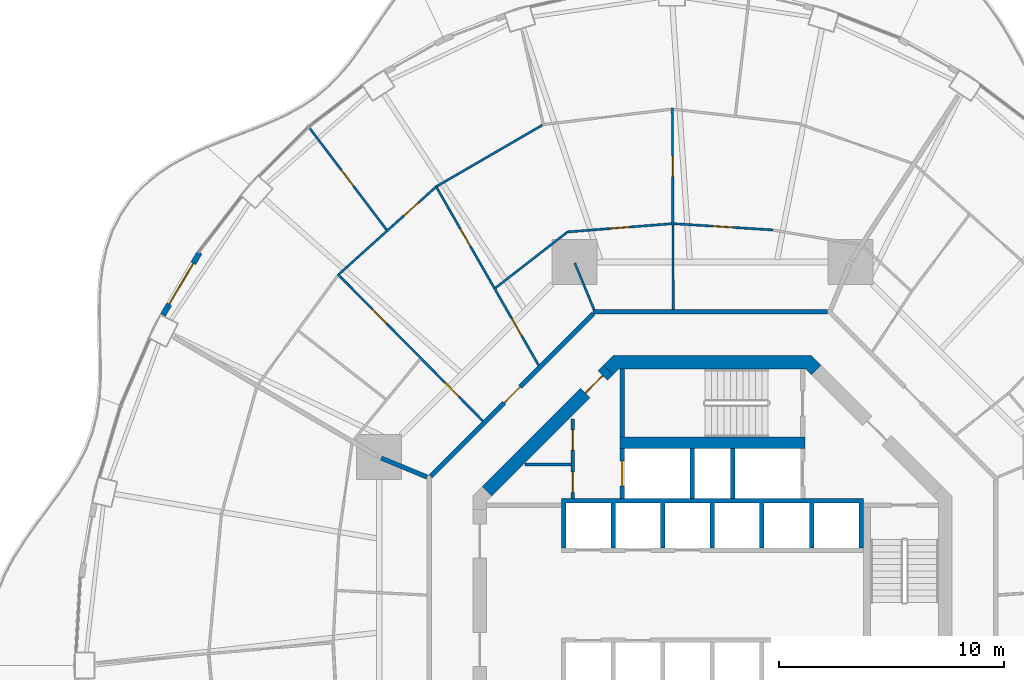
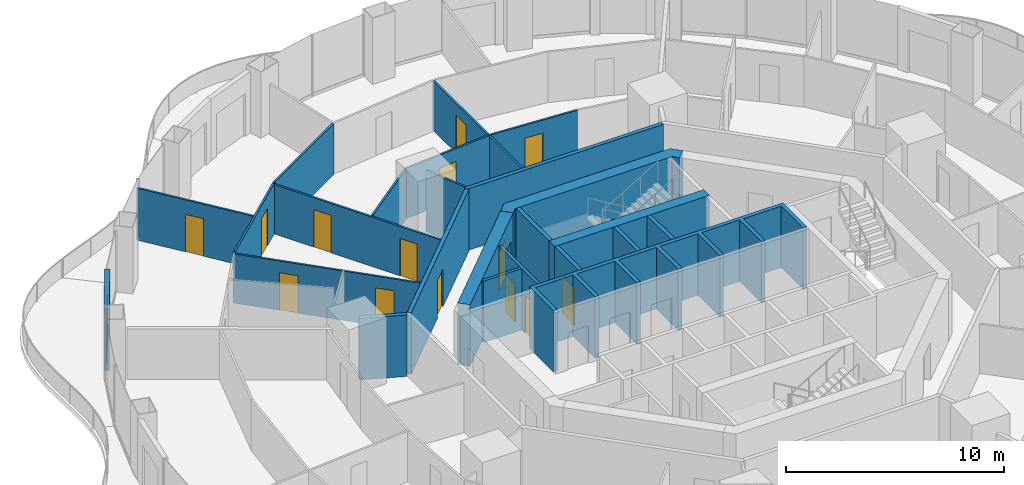
# One storey, part 14 of 19: 24 walls, 15 doors, 15 openings.
"""IFC4 building model written with IfcOpenShell, lengths in metres."""

from ifc_helpers import new_model, si_unit, direction, frame, frame_2d, origin, place, context, subcontext, project, spatial, polyline, rectangle, outline, extrude, material, layer, layer_set, type_object, element, fill, save


model = new_model("IFC4")

# Units and contexts
model_context = context("Model", 3, precision=1e-05, world=origin(), true_north=direction((0.0, 1.0)))
body_context = subcontext(model_context, "Body", "Model", "MODEL_VIEW")
ifc_project = project(units=[si_unit("LENGTHUNIT", "METRE"), si_unit("AREAUNIT", "SQUARE_METRE"), si_unit("VOLUMEUNIT", "CUBIC_METRE"), si_unit("PLANEANGLEUNIT", "RADIAN"), si_unit("MASSUNIT", "GRAM", prefix="KILO")], contexts=[model_context])

# Site, building, storey
site_placement = place(None, origin())
site = spatial("IfcSite", under=ifc_project, at=site_placement, CompositionType="ELEMENT")
building_placement = place(site_placement, origin())
building = spatial("IfcBuilding", under=site, at=building_placement, Name="Nagisa Residences", CompositionType="ELEMENT")
storey_placement = place(building_placement, frame((0.0, 0.0, 127.0)))
storey = spatial("IfcBuildingStorey", under=building, at=storey_placement, Name="L31", CompositionType="ELEMENT", Elevation=127.0)

# Walls
ifc_material_1 = material(Name="Gypsum board on steel studs", Category="steel")
ifc_layer_1 = layer(ifc_material_1, 0.199951171875)
ifc_layer_set_1 = layer_set([ifc_layer_1], Name="Apartment compartment wall EI60 200")
wall_type_1 = type_object("IfcWallType", Name="Apartment compartment wall EI60 200", PredefinedType="PARTITIONING", material=ifc_layer_set_1)
wall_1_placement = place(storey_placement, frame((-12.6572265625, 5.24267578125, 0.0), z_axis=(0.0, 0.0, 1.0), x_axis=(-0.923869415315, 0.382707856524, 0.0)))
element("IfcWall", 1, at=wall_1_placement, inside=storey, type_object=wall_type_1, Name="wall:L31:u02", PredefinedType="PARTITIONING", context=body_context, shape_type="SweptSolid", body=[
    extrude(rectangle(XDim=2.2001953125, YDim=0.199951171875, at=frame_2d((1.10009765625, 0.0))), origin(), (0.0, 0.0, 1.0), 3.43994140625),
])
ifc_material_2 = material(Name="Gypsum board on steel studs", Category="steel")
ifc_layer_2 = layer(ifc_material_2, 0.199951171875)
ifc_layer_set_2 = layer_set([ifc_layer_2], Name="Apartment entry wall EI60 200")
wall_type_2 = type_object("IfcWallType", Name="Apartment entry wall EI60 200", PredefinedType="PARTITIONING", material=ifc_layer_set_2)
wall_2_placement = place(storey_placement, frame((5.1044921875, 12.564697265625, 0.0), z_axis=(0.0, 0.0, 1.0), x_axis=(-1.0, 0.0, 0.0)))
element("IfcWall", 2, at=wall_2_placement, inside=storey, type_object=wall_type_2, Name="wall:L31:u08", PredefinedType="PARTITIONING", context=body_context, shape_type="SweptSolid", body=[
    extrude(rectangle(XDim=10.408935546875, YDim=0.199951171875, at=frame_2d((5.20458984375, 0.0))), origin(), (0.0, 0.0, 1.0), 3.43994140625),
])

# Wall, opening, door
wall_3_placement = place(storey_placement, frame((-5.275146484375, 12.494140625, 0.0), z_axis=(0.0, 0.0, 1.0), x_axis=(-0.707106781187, -0.707106781187, 0.0)))
wall_3 = element("IfcWall", 3, at=wall_3_placement, inside=storey, type_object=wall_type_2, Name="wall:L31:u09", PredefinedType="PARTITIONING", context=body_context, shape_type="SweptSolid", body=[
    extrude(rectangle(XDim=10.209228515625, YDim=0.199951171875, at=frame_2d((5.1044921875, 0.0))), origin(), (0.0, 0.0, 1.0), 3.43994140625),
])
opening_1_placement = place(wall_3_placement, frame((4.6044921875, 0.0, 0.0)))
opening_1 = element("IfcOpeningElement", 4, at=opening_1_placement, cuts=wall_3, Name="Opening L31-U01", PredefinedType="OPENING", context=body_context, shape_type="SweptSolid", body=[
    extrude(rectangle(XDim=1.0, YDim=2.10009765625, at=frame_2d((0.5, 1.050048828125))), frame((0.0, 0.10986328125, 0.0), z_axis=(0.0, -1.0, 0.0), x_axis=(1.0, 0.0, 0.0)), (0.0, 0.0, 1.0), 0.219970703125),
])
ifc_material_3 = material(Name="Timber fire door set", Category="wood")
door_type_1 = type_object("IfcDoorType", Name="Apartment entry door FD30S 1000x2100", OperationType="NOTDEFINED", PredefinedType="DOOR", material=ifc_material_3)
door_1_placement = place(opening_1_placement, frame((1.0, 0.0, 0.0), x_axis=(-1.0, 0.0, 0.0)))
door_1 = element("IfcDoor", 5, at=door_1_placement, inside=storey, type_object=door_type_1, Name="Entry door, Apartment 31A", OperationType="SINGLE_SWING_RIGHT", OverallHeight=2.10009765625, OverallWidth=1.0, PredefinedType="DOOR", context=body_context, shape_type="SweptSolid", body=[
    extrude(rectangle(XDim=1.0, YDim=2.10009765625, at=frame_2d((0.5, 1.050048828125))), frame((0.0, 0.02490234375, 0.0), z_axis=(0.0, -1.0, 0.0), x_axis=(1.0, 0.0, 0.0)), (0.0, 0.0, 1.0), 0.050048828125),
])
fill(opening_1, door_1)

ifc_material_4 = material(Name="Gypsum board on steel studs", Category="steel")
ifc_layer_3 = layer(ifc_material_4, 0.10009765625)
ifc_layer_set_3 = layer_set([ifc_layer_3], Name="Apartment partition 100")
wall_type_3 = type_object("IfcWallType", Name="Apartment partition 100", PredefinedType="PARTITIONING", material=ifc_layer_set_3)
wall_4_placement = place(storey_placement, frame((2.6845703125, 16.2021484375, 0.0), z_axis=(0.0, 0.0, 1.0), x_axis=(-0.998000808042, 0.063201164138, 0.0)))
wall_4 = element("IfcWall", 6, at=wall_4_placement, inside=storey, type_object=wall_type_3, Name="wall:L31:u35", PredefinedType="PARTITIONING", context=body_context, shape_type="SweptSolid", body=[
    extrude(rectangle(XDim=4.39599609375, YDim=0.10009765625, at=frame_2d((2.197998046875, 0.0))), origin(), (0.0, 0.0, 1.0), 2.827880859375),
])
opening_2_placement = place(wall_4_placement, frame((1.77294921875, 0.0, 0.0)))
opening_2 = element("IfcOpeningElement", 7, at=opening_2_placement, cuts=wall_4, Name="Opening L31-U13", PredefinedType="OPENING", context=body_context, shape_type="SweptSolid", body=[
    extrude(rectangle(XDim=0.89990234375, YDim=2.10009765625, at=frame_2d((0.449951171875, 1.050048828125))), frame((0.0, 0.06005859375, 0.0), z_axis=(0.0, -1.0, 0.0), x_axis=(1.0, 0.0, 0.0)), (0.0, 0.0, 1.0), 0.1201171875),
])
ifc_material_5 = material(Name="Timber door set", Category="wood")
door_type_2 = type_object("IfcDoorType", Name="Apartment door 900x2100", OperationType="NOTDEFINED", PredefinedType="DOOR", material=ifc_material_5)
door_2_placement = place(opening_2_placement, origin())
door_2 = element("IfcDoor", 8, at=door_2_placement, inside=storey, type_object=door_type_2, Name="Door to laundry, Apartment 31A", OperationType="SINGLE_SWING_LEFT", OverallHeight=2.10009765625, OverallWidth=0.89990234375, PredefinedType="DOOR", context=body_context, shape_type="SweptSolid", body=[
    extrude(rectangle(XDim=0.89990234375, YDim=2.10009765625, at=frame_2d((0.449951171875, 1.050048828125))), frame((0.0, 0.02490234375, 0.0), z_axis=(0.0, -1.0, 0.0), x_axis=(1.0, 0.0, 0.0)), (0.0, 0.0, 1.0), 0.050048828125),
])
fill(opening_2, door_2)

wall_5_placement = place(storey_placement, frame((-1.7353515625, 12.664794921875, 0.0), z_axis=(0.0, 0.0, 1.0), x_axis=(-0.004474716456, 0.999989988406, 0.0)))
wall_5 = element("IfcWall", 9, at=wall_5_placement, inside=storey, type_object=wall_type_3, Name="wall:L31:u38", PredefinedType="PARTITIONING", context=body_context, shape_type="SweptSolid", body=[
    extrude(rectangle(XDim=8.94775390625, YDim=0.10009765625, at=frame_2d((4.473876953125, 0.0))), origin(), (0.0, 0.0, 1.0), 2.756103515625),
])
opening_3_placement = place(wall_5_placement, frame((5.908203125, 0.0, 0.0)))
opening_3 = element("IfcOpeningElement", 10, at=opening_3_placement, cuts=wall_5, Name="Opening L31-U10", PredefinedType="OPENING", context=body_context, shape_type="SweptSolid", body=[
    extrude(rectangle(XDim=0.89990234375, YDim=2.10009765625, at=frame_2d((0.449951171875, 1.050048828125))), frame((0.0, 0.06005859375, 0.0), z_axis=(0.0, -1.0, 0.0), x_axis=(1.0, 0.0, 0.0)), (0.0, 0.0, 1.0), 0.1201171875),
])
door_3_placement = place(opening_3_placement, frame((0.89990234375, 0.0, 0.0), x_axis=(-1.0, 0.0, 0.0)))
door_3 = element("IfcDoor", 11, at=door_3_placement, inside=storey, type_object=door_type_2, Name="Door to kitchen, Apartment 31A", OperationType="SINGLE_SWING_LEFT", OverallHeight=2.10009765625, OverallWidth=0.89990234375, PredefinedType="DOOR", context=body_context, shape_type="SweptSolid", body=[
    extrude(rectangle(XDim=0.89990234375, YDim=2.10009765625, at=frame_2d((0.449951171875, 1.050048828125))), frame((0.0, 0.02490234375, 0.0), z_axis=(0.0, -1.0, 0.0), x_axis=(1.0, 0.0, 0.0)), (0.0, 0.0, 1.0), 0.050048828125),
])
fill(opening_3, door_3)

wall_6_placement = place(storey_placement, frame((-1.80224609375, 16.479248046875, 0.0), z_axis=(0.0, 0.0, 1.0), x_axis=(-0.996909003513, -0.078564869469, 0.0)))
wall_6 = element("IfcWall", 12, at=wall_6_placement, inside=storey, type_object=wall_type_3, Name="wall:L31:u39", PredefinedType="PARTITIONING", context=body_context, shape_type="SweptSolid", body=[
    extrude(rectangle(XDim=4.68603515625, YDim=0.10009765625, at=frame_2d((2.343017578125, 0.0))), origin(), (0.0, 0.0, 1.0), 2.827880859375),
])
opening_4_placement = place(wall_6_placement, frame((1.867919921875, 0.0, 0.0)))
opening_4 = element("IfcOpeningElement", 13, at=opening_4_placement, cuts=wall_6, Name="Opening L31-U09", PredefinedType="OPENING", context=body_context, shape_type="SweptSolid", body=[
    extrude(rectangle(XDim=0.89990234375, YDim=2.10009765625, at=frame_2d((0.449951171875, 1.050048828125))), frame((0.0, 0.06005859375, 0.0), z_axis=(0.0, -1.0, 0.0), x_axis=(1.0, 0.0, 0.0)), (0.0, 0.0, 1.0), 0.1201171875),
])
door_4_placement = place(opening_4_placement, origin())
door_4 = element("IfcDoor", 14, at=door_4_placement, inside=storey, type_object=door_type_2, Name="Door to store, Apartment 31A", OperationType="SINGLE_SWING_LEFT", OverallHeight=2.10009765625, OverallWidth=0.89990234375, PredefinedType="DOOR", context=body_context, shape_type="SweptSolid", body=[
    extrude(rectangle(XDim=0.89990234375, YDim=2.10009765625, at=frame_2d((0.449951171875, 1.050048828125))), frame((0.0, 0.02490234375, 0.0), z_axis=(0.0, -1.0, 0.0), x_axis=(1.0, 0.0, 0.0)), (0.0, 0.0, 1.0), 0.050048828125),
])
fill(opening_4, door_4)

# Walls
wall_7_placement = place(storey_placement, frame((-5.24267578125, 12.6572265625, 0.0), z_axis=(0.0, 0.0, 1.0), x_axis=(-0.382719158442, 0.923864733477, 0.0)))
element("IfcWall", 15, at=wall_7_placement, inside=storey, type_object=wall_type_3, Name="wall:L31:u41", PredefinedType="PARTITIONING", context=body_context, shape_type="SweptSolid", body=[
    extrude(rectangle(XDim=2.25, YDim=0.10009765625, at=frame_2d((1.125, 0.0))), origin(), (0.0, 0.0, 1.0), 3.43994140625),
])
wall_8_placement = place(storey_placement, frame((-6.46337890625, 16.084228515625, 0.0), z_axis=(0.0, 0.0, 1.0), x_axis=(-0.789457442969, -0.613805299538, 0.0)))
element("IfcWall", 16, at=wall_8_placement, inside=storey, type_object=wall_type_3, Name="wall:L31:u42", PredefinedType="PARTITIONING", context=body_context, shape_type="SweptSolid", body=[
    extrude(rectangle(XDim=3.997314453125, YDim=0.10009765625, at=frame_2d((1.99853515625, 0.0))), origin(), (0.0, 0.0, 1.0), 2.827880859375),
])
wall_9_placement = place(storey_placement, frame((-7.54296875, 20.8525390625, 0.0), z_axis=(0.0, 0.0, 1.0), x_axis=(-0.865086194899, -0.501623240485, 0.0)))
element("IfcWall", 17, at=wall_9_placement, inside=storey, type_object=wall_type_3, Name="wall:L31:u44", PredefinedType="PARTITIONING", context=body_context, shape_type="SweptSolid", body=[
    extrude(rectangle(XDim=5.39306640625, YDim=0.10009765625, at=frame_2d((2.696533203125, 0.0))), origin(), (0.0, 0.0, 1.0), 2.827880859375),
])

# Wall, openings, doors
wall_10_placement = place(storey_placement, frame((-7.707763671875, 10.197998046875, 0.0), z_axis=(0.0, 0.0, 1.0), x_axis=(-0.497449462689, 0.867492957937, 0.0)))
wall_10 = element("IfcWall", 18, at=wall_10_placement, inside=storey, type_object=wall_type_3, Name="wall:L31:u45", PredefinedType="PARTITIONING", context=body_context, shape_type="SweptSolid", body=[
    extrude(rectangle(XDim=9.1845703125, YDim=0.10009765625, at=frame_2d((4.59228515625, 0.0))), origin(), (0.0, 0.0, 1.0), 2.756103515625),
])
opening_5_placement = place(wall_10_placement, frame((1.5107421875, 0.0, 0.0)))
opening_5 = element("IfcOpeningElement", 19, at=opening_5_placement, cuts=wall_10, Name="Opening L31-U02", PredefinedType="OPENING", context=body_context, shape_type="SweptSolid", body=[
    extrude(rectangle(XDim=0.89990234375, YDim=2.10009765625, at=frame_2d((0.449951171875, 1.050048828125))), frame((0.0, 0.06005859375, 0.0), z_axis=(0.0, -1.0, 0.0), x_axis=(1.0, 0.0, 0.0)), (0.0, 0.0, 1.0), 0.1201171875),
])
opening_6_placement = place(wall_10_placement, frame((6.077880859375, 0.0, 0.0)))
opening_6 = element("IfcOpeningElement", 20, at=opening_6_placement, cuts=wall_10, Name="Opening L31-U04", PredefinedType="OPENING", context=body_context, shape_type="SweptSolid", body=[
    extrude(rectangle(XDim=0.89990234375, YDim=2.10009765625, at=frame_2d((0.449951171875, 1.050048828125))), frame((0.0, 0.06005859375, 0.0), z_axis=(0.0, -1.0, 0.0), x_axis=(1.0, 0.0, 0.0)), (0.0, 0.0, 1.0), 0.1201171875),
])
door_5_placement = place(opening_5_placement, frame((0.89990234375, 0.0, 0.0), x_axis=(-1.0, 0.0, 0.0)))
door_5 = element("IfcDoor", 21, at=door_5_placement, inside=storey, type_object=door_type_2, Name="Door to store, Apartment 31A", OperationType="SINGLE_SWING_LEFT", OverallHeight=2.10009765625, OverallWidth=0.89990234375, PredefinedType="DOOR", context=body_context, shape_type="SweptSolid", body=[
    extrude(rectangle(XDim=0.89990234375, YDim=2.10009765625, at=frame_2d((0.449951171875, 1.050048828125))), frame((0.0, 0.02490234375, 0.0), z_axis=(0.0, -1.0, 0.0), x_axis=(1.0, 0.0, 0.0)), (0.0, 0.0, 1.0), 0.050048828125),
])
fill(opening_5, door_5)
door_6_placement = place(opening_6_placement, frame((0.89990234375, 0.0, 0.0), x_axis=(-1.0, 0.0, 0.0)))
door_6 = element("IfcDoor", 22, at=door_6_placement, inside=storey, type_object=door_type_2, Name="Door to dining room, Apartment 31A", OperationType="SINGLE_SWING_LEFT", OverallHeight=2.10009765625, OverallWidth=0.89990234375, PredefinedType="DOOR", context=body_context, shape_type="SweptSolid", body=[
    extrude(rectangle(XDim=0.89990234375, YDim=2.10009765625, at=frame_2d((0.449951171875, 1.050048828125))), frame((0.0, 0.02490234375, 0.0), z_axis=(0.0, -1.0, 0.0), x_axis=(1.0, 0.0, 0.0)), (0.0, 0.0, 1.0), 0.050048828125),
])
fill(opening_6, door_6)

# Wall, opening, door
wall_11_placement = place(storey_placement, frame((-12.2890625, 18.088623046875, 0.0), z_axis=(0.0, 0.0, 1.0), x_axis=(-0.743146066164, -0.669129228435, 0.0)))
wall_11 = element("IfcWall", 23, at=wall_11_placement, inside=storey, type_object=wall_type_3, Name="wall:L31:u46", PredefinedType="PARTITIONING", context=body_context, shape_type="SweptSolid", body=[
    extrude(rectangle(XDim=5.7392578125, YDim=0.10009765625, at=frame_2d((2.86962890625, 0.0))), origin(), (0.0, 0.0, 1.0), 2.827880859375),
])
opening_7_placement = place(wall_11_placement, frame((0.98486328125, 0.0, 0.0)))
opening_7 = element("IfcOpeningElement", 24, at=opening_7_placement, cuts=wall_11, Name="Opening L31-U07", PredefinedType="OPENING", context=body_context, shape_type="SweptSolid", body=[
    extrude(rectangle(XDim=0.89990234375, YDim=2.10009765625, at=frame_2d((0.449951171875, 1.050048828125))), frame((0.0, 0.06005859375, 0.0), z_axis=(0.0, -1.0, 0.0), x_axis=(1.0, 0.0, 0.0)), (0.0, 0.0, 1.0), 0.1201171875),
])
door_7_placement = place(opening_7_placement, frame((0.89990234375, 0.0, 0.0), x_axis=(-1.0, 0.0, 0.0)))
door_7 = element("IfcDoor", 25, at=door_7_placement, inside=storey, type_object=door_type_2, Name="Door to living room, Apartment 31A", OperationType="SINGLE_SWING_RIGHT", OverallHeight=2.10009765625, OverallWidth=0.89990234375, PredefinedType="DOOR", context=body_context, shape_type="SweptSolid", body=[
    extrude(rectangle(XDim=0.89990234375, YDim=2.10009765625, at=frame_2d((0.449951171875, 1.050048828125))), frame((0.0, 0.02490234375, 0.0), z_axis=(0.0, -1.0, 0.0), x_axis=(1.0, 0.0, 0.0)), (0.0, 0.0, 1.0), 0.050048828125),
])
fill(opening_7, door_7)

wall_12_placement = place(storey_placement, frame((-14.451904296875, 16.208251953125, 0.0), z_axis=(0.0, 0.0, 1.0), x_axis=(-0.603267974074, 0.797538557975, 0.0)))
wall_12 = element("IfcWall", 26, at=wall_12_placement, inside=storey, type_object=wall_type_3, Name="wall:L31:u47", PredefinedType="PARTITIONING", context=body_context, shape_type="SweptSolid", body=[
    extrude(rectangle(XDim=5.764404296875, YDim=0.10009765625, at=frame_2d((2.88232421875, 0.0))), origin(), (0.0, 0.0, 1.0), 2.905029296875),
])
opening_8_placement = place(wall_12_placement, frame((2.432373046875, 0.0, 0.0)))
opening_8 = element("IfcOpeningElement", 27, at=opening_8_placement, cuts=wall_12, Name="Opening L31-U08", PredefinedType="OPENING", context=body_context, shape_type="SweptSolid", body=[
    extrude(rectangle(XDim=0.89990234375, YDim=2.10009765625, at=frame_2d((0.449951171875, 1.050048828125))), frame((0.0, 0.06005859375, 0.0), z_axis=(0.0, -1.0, 0.0), x_axis=(1.0, 0.0, 0.0)), (0.0, 0.0, 1.0), 0.1201171875),
])
door_8_placement = place(opening_8_placement, origin())
door_8 = element("IfcDoor", 28, at=door_8_placement, inside=storey, type_object=door_type_2, Name="Door to master bedroom, Apartment 31A", OperationType="SINGLE_SWING_RIGHT", OverallHeight=2.10009765625, OverallWidth=0.89990234375, PredefinedType="DOOR", context=body_context, shape_type="SweptSolid", body=[
    extrude(rectangle(XDim=0.89990234375, YDim=2.10009765625, at=frame_2d((0.449951171875, 1.050048828125))), frame((0.0, 0.02490234375, 0.0), z_axis=(0.0, -1.0, 0.0), x_axis=(1.0, 0.0, 0.0)), (0.0, 0.0, 1.0), 0.050048828125),
])
fill(opening_8, door_8)

# Wall, openings, doors
wall_13_placement = place(storey_placement, frame((-10.181640625, 7.72900390625, 0.0), z_axis=(0.0, 0.0, 1.0), x_axis=(-0.702927211734, 0.711261790766, 0.0)))
wall_13 = element("IfcWall", 29, at=wall_13_placement, inside=storey, type_object=wall_type_3, Name="wall:L31:u48", PredefinedType="PARTITIONING", context=body_context, shape_type="SweptSolid", body=[
    extrude(rectangle(XDim=9.16845703125, YDim=0.10009765625, at=frame_2d((4.584228515625, 0.0))), origin(), (0.0, 0.0, 1.0), 2.756103515625),
])
opening_9_placement = place(wall_13_placement, frame((1.50732421875, 0.0, 0.0)))
opening_9 = element("IfcOpeningElement", 30, at=opening_9_placement, cuts=wall_13, Name="Opening L31-U03", PredefinedType="OPENING", context=body_context, shape_type="SweptSolid", body=[
    extrude(rectangle(XDim=0.89990234375, YDim=2.10009765625, at=frame_2d((0.449951171875, 1.050048828125))), frame((0.0, 0.06005859375, 0.0), z_axis=(0.0, -1.0, 0.0), x_axis=(1.0, 0.0, 0.0)), (0.0, 0.0, 1.0), 0.1201171875),
])
opening_10_placement = place(wall_13_placement, frame((6.066650390625, 0.0, 0.0)))
opening_10 = element("IfcOpeningElement", 31, at=opening_10_placement, cuts=wall_13, Name="Opening L31-U05", PredefinedType="OPENING", context=body_context, shape_type="SweptSolid", body=[
    extrude(rectangle(XDim=0.89990234375, YDim=2.10009765625, at=frame_2d((0.449951171875, 1.050048828125))), frame((0.0, 0.06005859375, 0.0), z_axis=(0.0, -1.0, 0.0), x_axis=(1.0, 0.0, 0.0)), (0.0, 0.0, 1.0), 0.1201171875),
])
door_9_placement = place(opening_9_placement, origin())
door_9 = element("IfcDoor", 32, at=door_9_placement, inside=storey, type_object=door_type_2, Name="Door to family bathroom, Apartment 31A", OperationType="SINGLE_SWING_LEFT", OverallHeight=2.10009765625, OverallWidth=0.89990234375, PredefinedType="DOOR", context=body_context, shape_type="SweptSolid", body=[
    extrude(rectangle(XDim=0.89990234375, YDim=2.10009765625, at=frame_2d((0.449951171875, 1.050048828125))), frame((0.0, 0.02490234375, 0.0), z_axis=(0.0, -1.0, 0.0), x_axis=(1.0, 0.0, 0.0)), (0.0, 0.0, 1.0), 0.050048828125),
])
fill(opening_9, door_9)
door_10_placement = place(opening_10_placement, origin())
door_10 = element("IfcDoor", 33, at=door_10_placement, inside=storey, type_object=door_type_2, Name="Door to family bathroom, Apartment 31A", OperationType="SINGLE_SWING_LEFT", OverallHeight=2.10009765625, OverallWidth=0.89990234375, PredefinedType="DOOR", context=body_context, shape_type="SweptSolid", body=[
    extrude(rectangle(XDim=0.89990234375, YDim=2.10009765625, at=frame_2d((0.449951171875, 1.050048828125))), frame((0.0, 0.02490234375, 0.0), z_axis=(0.0, -1.0, 0.0), x_axis=(1.0, 0.0, 0.0)), (0.0, 0.0, 1.0), 0.050048828125),
])
fill(opening_10, door_10)

# Wall, opening, door
ifc_material_6 = material(Name="Precast concrete C40/50", Category="concrete")
ifc_layer_4 = layer(ifc_material_6, 0.25)
ifc_layer_set_4 = layer_set([ifc_layer_4], Name="BALCONY DOOR WALL 250")
wall_type_4 = type_object("IfcWallType", Name="BALCONY DOOR WALL 250", PredefinedType="SOLIDWALL", material=ifc_layer_set_4)
wall_14_placement = place(storey_placement, frame((-24.368408203125, 12.433837890625, 0.0), z_axis=(0.0, 0.0, 1.0), x_axis=(0.506314982873, 0.862348617508, 0.0)))
wall_14 = element("IfcWall", 34, at=wall_14_placement, inside=storey, type_object=wall_type_4, Name="wall:L31:bay19", PredefinedType="SOLIDWALL", context=body_context, shape_type="SweptSolid", body=[
    extrude(rectangle(XDim=3.20849609375, YDim=0.25, at=frame_2d((1.604248046875, 0.0))), origin(), (0.0, 0.0, 1.0), 3.43994140625),
])
opening_11_placement = place(wall_14_placement, frame((0.55419921875, 0.0, 0.0)))
opening_11 = element("IfcOpeningElement", 35, at=opening_11_placement, cuts=wall_14, Name="Opening BD-L31-07", PredefinedType="OPENING", context=body_context, shape_type="SweptSolid", body=[
    extrude(rectangle(XDim=2.10009765625, YDim=2.39990234375, at=frame_2d((1.050048828125, 1.199951171875))), frame((0.0, 0.135009765625, 0.0), z_axis=(0.0, -1.0, 0.0), x_axis=(1.0, 0.0, 0.0)), (0.0, 0.0, 1.0), 0.27001953125),
])
ifc_material_7 = material(Name="Aluminium and clear glass", Category="aluminium")
door_type_3 = type_object("IfcDoorType", Name="BALCONY SLIDING DOOR 2100x2400", OperationType="SLIDING_TO_LEFT", PredefinedType="DOOR", material=ifc_material_7)
door_11_placement = place(opening_11_placement, origin())
door_11 = element("IfcDoor", 36, at=door_11_placement, inside=storey, type_object=door_type_3, Name="door:L31:bay19", OperationType="SLIDING_TO_LEFT", OverallHeight=2.39990234375, OverallWidth=2.10009765625, PredefinedType="DOOR", context=body_context, shape_type="SweptSolid", body=[
    extrude(rectangle(XDim=2.10009765625, YDim=2.39990234375, at=frame_2d((1.050048828125, 1.199951171875))), frame((0.0, 0.02490234375, 0.0), z_axis=(0.0, -1.0, 0.0), x_axis=(1.0, 0.0, 0.0)), (0.0, 0.0, 1.0), 0.050048828125),
])
fill(opening_11, door_11)

# Wall, openings, doors
ifc_material_8 = material(Name="Gypsum board on steel studs", Category="steel")
ifc_layer_5 = layer(ifc_material_8, 0.14990234375)
ifc_layer_set_5 = layer_set([ifc_layer_5], Name="Core partition 150")
wall_type_5 = type_object("IfcWallType", Name="Core partition 150", PredefinedType="PARTITIONING", material=ifc_layer_set_5)
wall_15_placement = place(storey_placement, frame((-6.199951171875, 4.300048828125, 0.0), z_axis=(0.0, 0.0, 1.0), x_axis=(0.0, 1.0, 0.0)))
wall_15 = element("IfcWall", 37, at=wall_15_placement, inside=storey, type_object=wall_type_5, Name="wall:L31:NWp", PredefinedType="PARTITIONING", context=body_context, shape_type="SweptSolid", body=[
    extrude(rectangle(XDim=3.52685546875, YDim=0.14990234375, at=frame_2d((1.763427734375, 0.0))), origin(), (0.0, 0.0, 1.0), 3.43994140625),
])
opening_12_placement = place(wall_15_placement, frame((0.262451171875, 0.0, 0.0)))
opening_12 = element("IfcOpeningElement", 38, at=opening_12_placement, cuts=wall_15, Name="Opening L31-C12", PredefinedType="OPENING", context=body_context, shape_type="SweptSolid", body=[
    extrude(rectangle(XDim=0.89990234375, YDim=2.10009765625, at=frame_2d((0.449951171875, 1.050048828125))), frame((0.0, 0.0849609375, 0.0), z_axis=(0.0, -1.0, 0.0), x_axis=(1.0, 0.0, 0.0)), (0.0, 0.0, 1.0), 0.169921875),
])
opening_13_placement = place(wall_15_placement, frame((2.138427734375, 0.0, 0.0)))
opening_13 = element("IfcOpeningElement", 39, at=opening_13_placement, cuts=wall_15, Name="Opening L31-C13", PredefinedType="OPENING", context=body_context, shape_type="SweptSolid", body=[
    extrude(rectangle(XDim=0.89990234375, YDim=2.10009765625, at=frame_2d((0.449951171875, 1.050048828125))), frame((0.0, 0.0849609375, 0.0), z_axis=(0.0, -1.0, 0.0), x_axis=(1.0, 0.0, 0.0)), (0.0, 0.0, 1.0), 0.169921875),
])
ifc_material_9 = material(Name="Steel fire door", Category="steel")
door_type_4 = type_object("IfcDoorType", Name="Fire door EI30 900x2100 single swing", OperationType="NOTDEFINED", PredefinedType="DOOR", material=ifc_material_9)
door_12_placement = place(opening_12_placement, origin())
door_12 = element("IfcDoor", 40, at=door_12_placement, inside=storey, type_object=door_type_4, Name="Electrical room door L31", OperationType="SINGLE_SWING_RIGHT", OverallHeight=2.10009765625, OverallWidth=0.89990234375, PredefinedType="DOOR", context=body_context, shape_type="SweptSolid", body=[
    extrude(rectangle(XDim=0.89990234375, YDim=2.10009765625, at=frame_2d((0.449951171875, 1.050048828125))), frame((0.0, 0.02490234375, 0.0), z_axis=(0.0, -1.0, 0.0), x_axis=(1.0, 0.0, 0.0)), (0.0, 0.0, 1.0), 0.050048828125),
])
fill(opening_12, door_12)
door_13_placement = place(opening_13_placement, origin())
door_13 = element("IfcDoor", 41, at=door_13_placement, inside=storey, type_object=door_type_4, Name="Telecom room door L31", OperationType="SINGLE_SWING_RIGHT", OverallHeight=2.10009765625, OverallWidth=0.89990234375, PredefinedType="DOOR", context=body_context, shape_type="SweptSolid", body=[
    extrude(rectangle(XDim=0.89990234375, YDim=2.10009765625, at=frame_2d((0.449951171875, 1.050048828125))), frame((0.0, 0.02490234375, 0.0), z_axis=(0.0, -1.0, 0.0), x_axis=(1.0, 0.0, 0.0)), (0.0, 0.0, 1.0), 0.050048828125),
])
fill(opening_13, door_13)

# Wall
wall_16_placement = place(storey_placement, frame((-8.301025390625, 5.800048828125, 0.0), z_axis=(0.0, 0.0, 1.0), x_axis=(1.0, 0.0, 0.0)))
element("IfcWall", 42, at=wall_16_placement, inside=storey, type_object=wall_type_5, Name="wall:L31:NWq", PredefinedType="PARTITIONING", context=body_context, shape_type="SweptSolid", body=[
    extrude(rectangle(XDim=2.026123046875, YDim=0.14990234375, at=frame_2d((1.01318359375, 0.0))), origin(), (0.0, 0.0, 1.0), 3.43994140625),
])

# Wall, opening, door
ifc_material_10 = material(Name="Concrete C60", Category="concrete")
ifc_layer_6 = layer(ifc_material_10, 0.60009765625)
ifc_layer_set_6 = layer_set([ifc_layer_6], Name="Core shear wall 600")
wall_type_6 = type_object("IfcWallType", Name="Core shear wall 600", PredefinedType="SHEAR", material=ifc_layer_set_6)
wall_17_placement = place(storey_placement, frame((-4.613037109375, 9.98828125, 0.0), z_axis=(0.0, 0.0, 1.0), x_axis=(-0.707106781187, -0.707106781187, 0.0)))
wall_17 = element("IfcWall", 43, at=wall_17_placement, inside=storey, type_object=wall_type_6, Name="wall:L31:core:flat3", PredefinedType="SHEAR", context=body_context, shape_type="SweptSolid", body=[
    extrude(rectangle(XDim=7.601806640625, YDim=0.60009765625, at=frame_2d((3.80078125, 0.0))), origin(), (0.0, 0.0, 1.0), 3.43994140625),
])
opening_14_placement = place(wall_17_placement, frame((0.350830078125, 0.0, 0.0)))
opening_14 = element("IfcOpeningElement", 44, at=opening_14_placement, cuts=wall_17, Name="Opening L31-C21", PredefinedType="OPENING", context=body_context, shape_type="SweptSolid", body=[
    extrude(rectangle(XDim=1.10009765625, YDim=2.10009765625, at=frame_2d((0.550048828125, 1.050048828125))), frame((0.0, 0.31005859375, 0.0), z_axis=(0.0, -1.0, 0.0), x_axis=(1.0, 0.0, 0.0)), (0.0, 0.0, 1.0), 0.6201171875),
])
ifc_material_11 = material(Name="Steel fire door", Category="steel")
door_type_5 = type_object("IfcDoorType", Name="Fire door EI60 1100x2100 single swing", OperationType="NOTDEFINED", PredefinedType="DOOR", material=ifc_material_11)
door_14_placement = place(opening_14_placement, origin())
door_14 = element("IfcDoor", 45, at=door_14_placement, inside=storey, type_object=door_type_5, Name="Service lobby door L31", OperationType="SINGLE_SWING_RIGHT", OverallHeight=2.10009765625, OverallWidth=1.10009765625, PredefinedType="DOOR", context=body_context, shape_type="SweptSolid", body=[
    extrude(rectangle(XDim=1.10009765625, YDim=2.10009765625, at=frame_2d((0.550048828125, 1.050048828125))), frame((0.0, 0.02490234375, 0.0), z_axis=(0.0, -1.0, 0.0), x_axis=(1.0, 0.0, 0.0)), (0.0, 0.0, 1.0), 0.050048828125),
])
fill(opening_14, door_14)

# Wall
wall_18_placement = place(storey_placement, origin())
element("IfcWall", 46, at=wall_18_placement, inside=storey, type_object=wall_type_6, Name="wall:L31:core:flat2", PredefinedType="SHEAR", context=body_context, shape_type="SweptSolid", body=[
    extrude(outline(polyline([(-4.15234375, 10.024658203125), (-4.40087890625, 9.776123046875), (-4.8251953125, 10.200439453125), (-4.40087890625, 10.62451171875), (4.40087890625, 10.62451171875), (4.8251953125, 10.200439453125), (4.40087890625, 9.776123046875), (4.15234375, 10.024658203125), (-4.15234375, 10.024658203125)])), origin(), (0.0, 0.0, 1.0), 3.43994140625),
])

# Wall, opening, door
ifc_material_12 = material(Name="Concrete C60", Category="concrete")
ifc_layer_7 = layer(ifc_material_12, 0.199951171875)
ifc_layer_set_7 = layer_set([ifc_layer_7], Name="Lift shaft wall 200")
wall_type_7 = type_object("IfcWallType", Name="Lift shaft wall 200", PredefinedType="SOLIDWALL", material=ifc_layer_set_7)
wall_19_placement = place(storey_placement, frame((-4.0, 4.300048828125, 0.0), z_axis=(0.0, 0.0, 1.0), x_axis=(0.0, 1.0, 0.0)))
wall_19 = element("IfcWall", 47, at=wall_19_placement, inside=storey, type_object=wall_type_7, Name="wall:L31:Nb4", PredefinedType="SOLIDWALL", context=body_context, shape_type="SweptSolid", body=[
    extrude(rectangle(XDim=2.199951171875, YDim=0.199951171875, at=frame_2d((1.10009765625, 0.0))), origin(), (0.0, 0.0, 1.0), 3.43994140625),
])
opening_15_placement = place(wall_19_placement, frame((0.550048828125, 0.0, 0.0)))
opening_15 = element("IfcOpeningElement", 48, at=opening_15_placement, cuts=wall_19, Name="Opening L31-C08", PredefinedType="OPENING", context=body_context, shape_type="SweptSolid", body=[
    extrude(rectangle(XDim=1.10009765625, YDim=2.10009765625, at=frame_2d((0.550048828125, 1.050048828125))), frame((0.0, 0.10986328125, 0.0), z_axis=(0.0, -1.0, 0.0), x_axis=(1.0, 0.0, 0.0)), (0.0, 0.0, 1.0), 0.219970703125),
])
ifc_material_13 = material(Name="Stainless steel", Category="steel")
door_type_6 = type_object("IfcDoorType", Name="Lift landing door 1100x2100", OperationType="DOUBLE_DOOR_SLIDING", PredefinedType="DOOR", material=ifc_material_13)
door_15_placement = place(opening_15_placement, origin())
door_15 = element("IfcDoor", 49, at=door_15_placement, inside=storey, type_object=door_type_6, Name="Landing door SV L31", OperationType="DOUBLE_DOOR_SLIDING", OverallHeight=2.10009765625, OverallWidth=1.10009765625, PredefinedType="DOOR", context=body_context, shape_type="SweptSolid", body=[
    extrude(rectangle(XDim=1.10009765625, YDim=2.10009765625, at=frame_2d((0.550048828125, 1.050048828125))), frame((0.0, 0.02490234375, 0.0), z_axis=(0.0, -1.0, 0.0), x_axis=(1.0, 0.0, 0.0)), (0.0, 0.0, 1.0), 0.050048828125),
])
fill(opening_15, door_15)

# Walls
for number, where, z_axis, x_axis, name in (
    (50, (-0.89990234375, 4.300048828125, 0.0), (0.0, 0.0, 1.0), (0.0, 1.0, 0.0), "wall:L31:Nb1"),
    (51, (0.89990234375, 4.300048828125, 0.0), (0.0, 0.0, 1.0), (0.0, 1.0, 0.0), "wall:L31:Nb2"),
):
    element("IfcWall", number, at=place(storey_placement, frame(where, z_axis=z_axis, x_axis=x_axis)), inside=storey, type_object=wall_type_7, Name=name, PredefinedType="SOLIDWALL", context=body_context, shape_type="SweptSolid", body=[
        extrude(rectangle(XDim=2.199951171875, YDim=0.199951171875, at=frame_2d((1.10009765625, 0.0))), origin(), (0.0, 0.0, 1.0), 3.43994140625),
    ])
wall_20_placement = place(storey_placement, origin())
element("IfcWall", 52, at=wall_20_placement, inside=storey, type_object=wall_type_7, Name="wall:L31:Nback", PredefinedType="SOLIDWALL", context=body_context, shape_type="SweptSolid", body=[
    extrude(outline(polyline([(-6.5, 2.10009765625), (-6.699951171875, 2.10009765625), (-6.699951171875, 4.300048828125), (6.699951171875, 4.300048828125), (6.699951171875, 2.10009765625), (6.5, 2.10009765625), (6.5, 4.10009765625), (4.5, 4.10009765625), (4.5, 2.10009765625), (4.300048828125, 2.10009765625), (4.300048828125, 4.10009765625), (2.300048828125, 4.10009765625), (2.300048828125, 2.10009765625), (2.10009765625, 2.10009765625), (2.10009765625, 4.10009765625), (0.10009765625, 4.10009765625), (0.10009765625, 2.10009765625), (-0.10009765625, 2.10009765625), (-0.10009765625, 4.10009765625), (-2.10009765625, 4.10009765625), (-2.10009765625, 2.10009765625), (-2.300048828125, 2.10009765625), (-2.300048828125, 4.10009765625), (-4.300048828125, 4.10009765625), (-4.300048828125, 2.10009765625), (-4.5, 2.10009765625), (-4.5, 4.10009765625), (-6.5, 4.10009765625), (-6.5, 2.10009765625)])), origin(), (0.0, 0.0, 1.0), 3.43994140625),
])
ifc_material_14 = material(Name="Concrete C60", Category="concrete")
ifc_layer_8 = layer(ifc_material_14, 0.199951171875)
ifc_layer_set_8 = layer_set([ifc_layer_8], Name="Stair enclosure wall 200")
wall_type_8 = type_object("IfcWallType", Name="Stair enclosure wall 200", PredefinedType="SOLIDWALL", material=ifc_layer_set_8)
wall_21_placement = place(storey_placement, origin())
element("IfcWall", 53, at=wall_21_placement, inside=storey, type_object=wall_type_8, Name="wall:L31:SN_w", PredefinedType="SOLIDWALL", context=body_context, shape_type="SweptSolid", body=[
    extrude(outline(polyline([(-3.89990234375, 7.024658203125), (-4.10009765625, 7.024658203125), (-4.10009765625, 10.024658203125), (-3.89990234375, 10.024658203125), (-3.89990234375, 7.024658203125)])), origin(), (0.0, 0.0, 1.0), 3.43994140625),
])
wall_22_placement = place(storey_placement, origin())
element("IfcWall", 54, at=wall_22_placement, inside=storey, type_object=wall_type_8, Name="wall:L31:SN_s", PredefinedType="SOLIDWALL", context=body_context, shape_type="SweptSolid", body=[
    extrude(outline(polyline([(4.10009765625, 6.5), (-4.10009765625, 6.5), (-4.10009765625, 7.024658203125), (4.10009765625, 7.024658203125), (4.10009765625, 6.5)])), origin(), (0.0, 0.0, 1.0), 3.43994140625),
])

save(model, "model.ifc")
